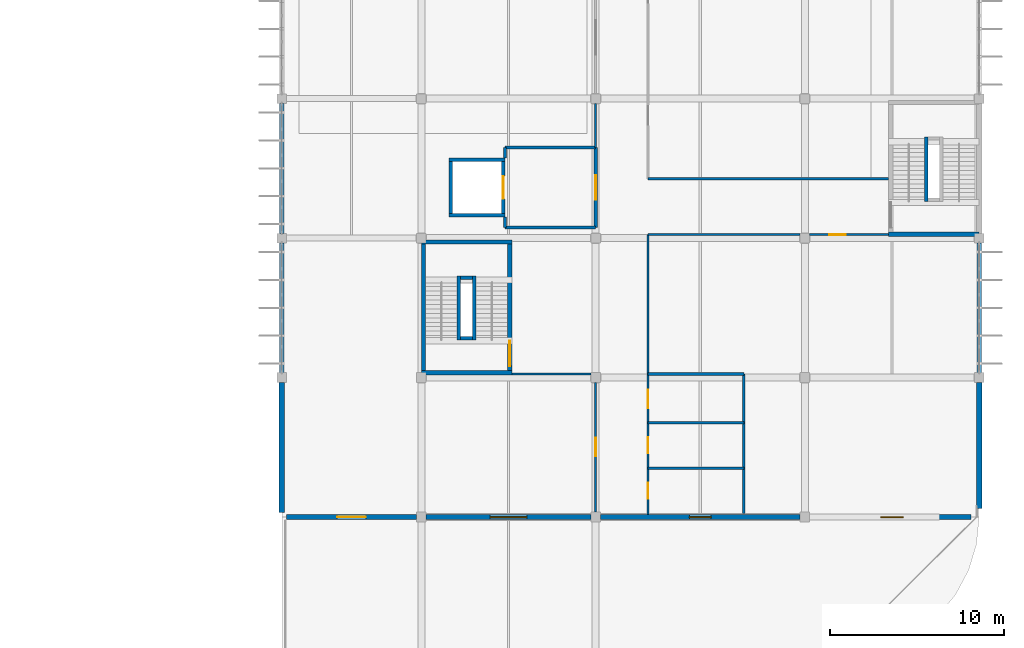
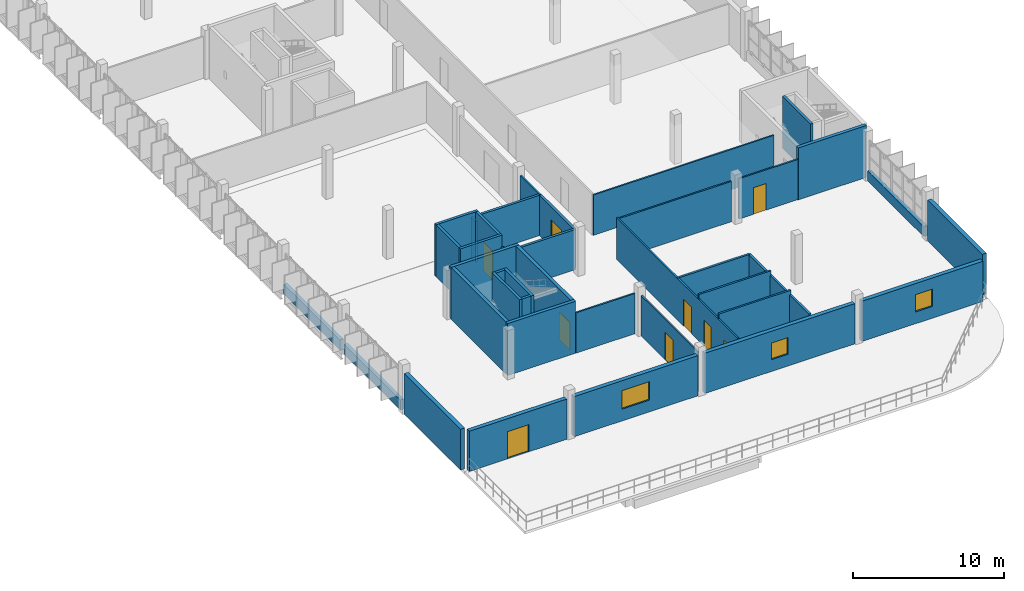
# One storey, part 27 of 38: 39 walls, 9 doors, 3 windows, 12 openings.
"""IFC4 building model written with IfcOpenShell, lengths in metres."""

from ifc_helpers import new_model, si_unit, direction, frame, frame_2d, origin, place, context, subcontext, project, spatial, rectangle, extrude, material, layer, layer_set, type_object, element, fill, save


model = new_model("IFC4")

# Units and contexts
model_context = context("Model", 3, precision=1e-05, world=origin(), true_north=direction((0.0, 1.0)))
body_context = subcontext(model_context, "Body", "Model", "MODEL_VIEW")
ifc_project = project(units=[si_unit("LENGTHUNIT", "METRE"), si_unit("AREAUNIT", "SQUARE_METRE"), si_unit("VOLUMEUNIT", "CUBIC_METRE"), si_unit("PLANEANGLEUNIT", "RADIAN"), si_unit("MASSUNIT", "GRAM", prefix="KILO")], contexts=[model_context])

# Site, building, storey
site_placement = place(None, origin())
site = spatial("IfcSite", under=ifc_project, at=site_placement, CompositionType="ELEMENT")
building_placement = place(site_placement, origin())
building = spatial("IfcBuilding", under=site, at=building_placement, Name="Drelvana Railside Aquatics Centre", CompositionType="ELEMENT")
storey_placement = place(building_placement, frame((0.0, 0.0, 14.39990234375)))
storey = spatial("IfcBuildingStorey", under=building, at=storey_placement, Name="L03", CompositionType="ELEMENT", Elevation=14.39990234375)

# Walls
ifc_material_1 = material(Name="Concrete blockwork compartment wall", Category="masonry")
ifc_layer_1 = layer(ifc_material_1, 0.18505859375, Name="Concrete blockwork compartment wall")
ifc_layer_set_1 = layer_set([ifc_layer_1], Name="Concrete blockwork compartment wall")
wall_type_1 = type_object("IfcWallType", Name="WL-COMP-185", PredefinedType="STANDARD", material=ifc_layer_set_1)
for number, where, z_axis, x_axis, name in (
    (1, (162.0, 32.60009765625, 0.0), (0.0, 0.0, 1.0), (-1.0, 0.0, 0.0), "Firefighting lobby FL-01 S wall (L03)"),
    (2, (156.800048828125, 37.199951171875, 0.0), (0.0, 0.0, 1.0), (1.0, 0.0, 0.0), "Firefighting lobby FL-01 N wall (L03)"),
):
    element("IfcWall", number, at=place(storey_placement, frame(where, z_axis=z_axis, x_axis=x_axis)), inside=storey, type_object=wall_type_1, Name=name, PredefinedType="STANDARD", context=body_context, shape_type="SweptSolid", body=[
        extrude(rectangle(XDim=5.199951171875, YDim=0.18505859375, at=frame_2d((2.60009765625, 0.0))), origin(), (0.0, 0.0, 1.0), 3.255126953125),
    ])

# Wall, opening, door
wall_1_placement = place(storey_placement, frame((162.0, 32.60009765625, 0.0), z_axis=(0.0, 0.0, 1.0), x_axis=(0.0, 1.0, 0.0)))
wall_1 = element("IfcWall", 3, at=wall_1_placement, inside=storey, type_object=wall_type_1, Name="Firefighting lobby FL-01 COR wall (L03)", PredefinedType="STANDARD", context=body_context, shape_type="SweptSolid", body=[
    extrude(rectangle(XDim=4.599853515625, YDim=0.18505859375, at=frame_2d((2.2998046875, 0.0))), origin(), (0.0, 0.0, 1.0), 3.255126953125),
])
opening_1_placement = place(wall_1_placement, frame((1.60009765625, 0.0, 0.0)))
opening_1 = element("IfcOpeningElement", 4, at=opening_1_placement, cuts=wall_1, Name="Opening D-03-050", PredefinedType="OPENING", context=body_context, shape_type="SweptSolid", body=[
    extrude(rectangle(XDim=1.39990234375, YDim=2.199951171875, at=frame_2d((0.699951171875, 1.10009765625))), frame((0.0, 0.1025390625, 0.0), z_axis=(0.0, -1.0, 0.0), x_axis=(1.0, 0.0, 0.0)), (0.0, 0.0, 1.0), 0.205078125),
])
ifc_material_2 = material(Name="Firefighting lobby door", Category="wood")
door_type_1 = type_object("IfcDoorType", Name="DR-INT-FFLOB-1400x2200", OperationType="DOUBLE_DOOR_SINGLE_SWING", PredefinedType="DOOR", material=ifc_material_2)
door_1_placement = place(opening_1_placement, origin())
door_1 = element("IfcDoor", 5, at=door_1_placement, inside=storey, type_object=door_type_1, Name="Firefighting lobby FL-01 door D-03-050", OperationType="DOUBLE_DOOR_SINGLE_SWING", OverallHeight=2.199951171875, OverallWidth=1.39990234375, PredefinedType="DOOR", context=body_context, shape_type="SweptSolid", body=[
    extrude(rectangle(XDim=1.39990234375, YDim=2.199951171875, at=frame_2d((0.699951171875, 1.10009765625))), frame((0.0, 0.02490234375, 0.0), z_axis=(0.0, -1.0, 0.0), x_axis=(1.0, 0.0, 0.0)), (0.0, 0.0, 1.0), 0.050048828125),
])
fill(opening_1, door_1)

# Walls
for number, where, z_axis, x_axis, name in (
    (6, (156.800048828125, 32.60009765625, 0.0), (0.0, 0.0, 1.0), (0.0, 1.0, 0.0), "Firefighting lobby FL-01 SHS wall (L03)"),
    (7, (156.800048828125, 36.60009765625, 0.0), (0.0, 0.0, 1.0), (0.0, 1.0, 0.0), "Firefighting lobby FL-01 SHN wall (L03)"),
):
    element("IfcWall", number, at=place(storey_placement, frame(where, z_axis=z_axis, x_axis=x_axis)), inside=storey, type_object=wall_type_1, Name=name, PredefinedType="STANDARD", context=body_context, shape_type="SweptSolid", body=[
        extrude(rectangle(XDim=0.599853515625, YDim=0.18505859375, at=frame_2d((0.2998046875, 0.0))), origin(), (0.0, 0.0, 1.0), 3.255126953125),
    ])
ifc_material_3 = material(Name="Concrete C40/50", Category="concrete")
ifc_layer_2 = layer(ifc_material_3, 0.25, Name="Concrete C40/50")
ifc_layer_set_2 = layer_set([ifc_layer_2], Name="Concrete C40/50")
wall_type_2 = type_object("IfcWallType", Name="WL-CORE-250", PredefinedType="SHEAR", material=ifc_layer_set_2)
for number, where, z_axis, x_axis, name in (
    (8, (152.0, 24.284912109375, 0.0), (0.0, 0.0, 1.0), (1.0, 0.0, 0.0), "Core 6 Federation Wing Court-West S core wall (L03)"),
    (9, (152.0, 31.77490234375, 0.0), (0.0, 0.0, 1.0), (1.0, 0.0, 0.0), "Core 6 Federation Wing Court-West N core wall (L03)"),
):
    element("IfcWall", number, at=place(storey_placement, frame(where, z_axis=z_axis, x_axis=x_axis)), inside=storey, type_object=wall_type_2, Name=name, PredefinedType="SHEAR", context=body_context, shape_type="SweptSolid", body=[
        extrude(rectangle(XDim=5.199951171875, YDim=0.25, at=frame_2d((2.60009765625, 0.0))), origin(), (0.0, 0.0, 1.0), 4.2001953125),
    ])
wall_2_placement = place(storey_placement, frame((152.125, 24.409912109375, 0.0), z_axis=(0.0, 0.0, 1.0), x_axis=(0.0, 1.0, 0.0)))
element("IfcWall", 10, at=wall_2_placement, inside=storey, type_object=wall_type_2, Name="Core 6 Federation Wing Court-West W core wall (L03)", PredefinedType="SHEAR", context=body_context, shape_type="SweptSolid", body=[
    extrude(rectangle(XDim=7.239990234375, YDim=0.25, at=frame_2d((3.6201171875, 0.0))), origin(), (0.0, 0.0, 1.0), 4.2001953125),
])

# Wall, opening, door
wall_3_placement = place(storey_placement, frame((157.074951171875, 24.409912109375, 0.0), z_axis=(0.0, 0.0, 1.0), x_axis=(0.0, 1.0, 0.0)))
wall_3 = element("IfcWall", 11, at=wall_3_placement, inside=storey, type_object=wall_type_2, Name="Core 6 Federation Wing Court-West E core wall (L03)", PredefinedType="SHEAR", context=body_context, shape_type="SweptSolid", body=[
    extrude(rectangle(XDim=7.239990234375, YDim=0.25, at=frame_2d((3.6201171875, 0.0))), origin(), (0.0, 0.0, 1.0), 4.2001953125),
])
opening_2_placement = place(wall_3_placement, frame((0.25, 0.0, 0.0)))
opening_2 = element("IfcOpeningElement", 12, at=opening_2_placement, cuts=wall_3, Name="Opening D-01-039", PredefinedType="OPENING", context=body_context, shape_type="SweptSolid", body=[
    extrude(rectangle(XDim=1.449951171875, YDim=2.199951171875, at=frame_2d((0.72509765625, 1.10009765625))), frame((0.0, 0.135009765625, 0.0), z_axis=(0.0, -1.0, 0.0), x_axis=(1.0, 0.0, 0.0)), (0.0, 0.0, 1.0), 0.27001953125),
])
ifc_material_4 = material(Name="Fire-rated steel and vision-panel door", Category="steel")
door_type_2 = type_object("IfcDoorType", Name="DR-INT-STAIR-1450x2200", OperationType="DOUBLE_DOOR_SINGLE_SWING", PredefinedType="DOOR", material=ifc_material_4)
door_2_placement = place(opening_2_placement, origin())
door_2 = element("IfcDoor", 13, at=door_2_placement, inside=storey, type_object=door_type_2, Name="Stair ST-06 lobby door D-01-039", OperationType="DOUBLE_DOOR_SINGLE_SWING", OverallHeight=2.199951171875, OverallWidth=1.449951171875, PredefinedType="DOOR", context=body_context, shape_type="SweptSolid", body=[
    extrude(rectangle(XDim=1.449951171875, YDim=2.199951171875, at=frame_2d((0.72509765625, 1.10009765625))), frame((0.0, 0.02490234375, 0.0), z_axis=(0.0, -1.0, 0.0), x_axis=(1.0, 0.0, 0.0)), (0.0, 0.0, 1.0), 0.050048828125),
])
fill(opening_2, door_2)

# Wall
wall_4_placement = place(storey_placement, frame((178.800048828125, 32.22509765625, 0.0), z_axis=(0.0, 0.0, 1.0), x_axis=(1.0, 0.0, 0.0)))
element("IfcWall", 14, at=wall_4_placement, inside=storey, type_object=wall_type_2, Name="Core 9 Federation Wing Avenue-South S core wall (L03)", PredefinedType="SHEAR", context=body_context, shape_type="SweptSolid", body=[
    extrude(rectangle(XDim=5.199951171875, YDim=0.25, at=frame_2d((2.60009765625, 0.0))), origin(), (0.0, 0.0, 1.0), 4.2001953125),
])

# Wall, opening, door
ifc_material_5 = material(Name="Acoustic twin-stud gypsum partition", Category="gypsum")
ifc_layer_3 = layer(ifc_material_5, 0.1201171875, Name="Acoustic twin-stud gypsum partition")
ifc_layer_set_3 = layer_set([ifc_layer_3], Name="Acoustic twin-stud gypsum partition")
wall_type_3 = type_object("IfcWallType", Name="WL-DRY-120", PredefinedType="PARTITIONING", material=ifc_layer_set_3)
wall_5_placement = place(storey_placement, frame((162.0, 16.277099609375, 0.0), z_axis=(0.0, 0.0, 1.0), x_axis=(0.0, 1.0, 0.0)))
wall_5 = element("IfcWall", 15, at=wall_5_placement, inside=storey, type_object=wall_type_3, Name="V5 L03 west corridor wall", PredefinedType="PARTITIONING", context=body_context, shape_type="SweptSolid", body=[
    extrude(rectangle(XDim=7.44580078125, YDim=0.1201171875, at=frame_2d((3.722900390625, 0.0))), origin(), (0.0, 0.0, 1.0), 3.255126953125),
])
opening_3_placement = place(wall_5_placement, frame((3.222900390625, 0.0, 0.0)))
opening_3 = element("IfcOpeningElement", 16, at=opening_3_placement, cuts=wall_5, Name="Opening D-18-238", PredefinedType="OPENING", context=body_context, shape_type="SweptSolid", body=[
    extrude(rectangle(XDim=1.050048828125, YDim=2.199951171875, at=frame_2d((0.52490234375, 1.10009765625))), frame((0.0, 0.070068359375, 0.0), z_axis=(0.0, -1.0, 0.0), x_axis=(1.0, 0.0, 0.0)), (0.0, 0.0, 1.0), 0.14013671875),
])
ifc_material_6 = material(Name="Seminar and boardroom acoustic door", Category="wood")
door_type_3 = type_object("IfcDoorType", Name="DR-INT-ROOM-1050x2200", OperationType="NOTDEFINED", PredefinedType="DOOR", material=ifc_material_6)
door_3_placement = place(opening_3_placement, origin())
door_3 = element("IfcDoor", 17, at=door_3_placement, inside=storey, type_object=door_type_3, Name="Athlete recovery lounge door D-18-238", OperationType="SINGLE_SWING_LEFT", OverallHeight=2.199951171875, OverallWidth=1.050048828125, PredefinedType="DOOR", context=body_context, shape_type="SweptSolid", body=[
    extrude(rectangle(XDim=1.050048828125, YDim=2.199951171875, at=frame_2d((0.52490234375, 1.10009765625))), frame((0.0, 0.02490234375, 0.0), z_axis=(0.0, -1.0, 0.0), x_axis=(1.0, 0.0, 0.0)), (0.0, 0.0, 1.0), 0.050048828125),
])
fill(opening_3, door_3)

# Walls
wall_6_placement = place(storey_placement, frame((162.0, 37.199951171875, 0.0), z_axis=(0.0, 0.0, 1.0), x_axis=(0.0, 1.0, 0.0)))
element("IfcWall", 18, at=wall_6_placement, inside=storey, type_object=wall_type_3, Name="V5 L03 west corridor wall", PredefinedType="PARTITIONING", context=body_context, shape_type="SweptSolid", body=[
    extrude(rectangle(XDim=2.52294921875, YDim=0.1201171875, at=frame_2d((1.261474609375, 0.0))), origin(), (0.0, 0.0, 1.0), 3.255126953125),
])
wall_7_placement = place(storey_placement, frame((157.205078125, 24.199951171875, 0.0), z_axis=(0.0, 0.0, 1.0), x_axis=(1.0, 0.0, 0.0)))
element("IfcWall", 19, at=wall_7_placement, inside=storey, type_object=wall_type_3, Name="V5 L03 C6 alcove SE wall", PredefinedType="PARTITIONING", context=body_context, shape_type="SweptSolid", body=[
    extrude(rectangle(XDim=4.517822265625, YDim=0.1201171875, at=frame_2d((2.2587890625, 0.0))), origin(), (0.0, 0.0, 1.0), 3.255126953125),
])

# Wall, openings, doors
wall_8_placement = place(storey_placement, frame((165.0, 16.14990234375, 0.0), z_axis=(0.0, 0.0, 1.0), x_axis=(0.0, 1.0, 0.0)))
wall_8 = element("IfcWall", 20, at=wall_8_placement, inside=storey, type_object=wall_type_3, Name="V5 L03 east corridor wall", PredefinedType="PARTITIONING", context=body_context, shape_type="SweptSolid", body=[
    extrude(rectangle(XDim=16.050048828125, YDim=0.1201171875, at=frame_2d((8.02490234375, 0.0))), origin(), (0.0, 0.0, 1.0), 3.35498046875),
])
opening_4_placement = place(wall_8_placement, frame((0.89990234375, 0.0, 0.0)))
opening_4 = element("IfcOpeningElement", 21, at=opening_4_placement, cuts=wall_8, Name="Opening D-11-242", PredefinedType="OPENING", context=body_context, shape_type="SweptSolid", body=[
    extrude(rectangle(XDim=0.919921875, YDim=2.10009765625, at=frame_2d((0.4599609375, 1.050048828125))), frame((0.0, 0.070068359375, 0.0), z_axis=(0.0, -1.0, 0.0), x_axis=(1.0, 0.0, 0.0)), (0.0, 0.0, 1.0), 0.14013671875),
])
opening_5_placement = place(wall_8_placement, frame((3.5, 0.0, 0.0)))
opening_5 = element("IfcOpeningElement", 22, at=opening_5_placement, cuts=wall_8, Name="Opening D-11-243", PredefinedType="OPENING", context=body_context, shape_type="SweptSolid", body=[
    extrude(rectangle(XDim=0.919921875, YDim=2.10009765625, at=frame_2d((0.4599609375, 1.050048828125))), frame((0.0, 0.070068359375, 0.0), z_axis=(0.0, -1.0, 0.0), x_axis=(1.0, 0.0, 0.0)), (0.0, 0.0, 1.0), 0.14013671875),
])
opening_6_placement = place(wall_8_placement, frame((6.10009765625, 0.0, 0.0)))
opening_6 = element("IfcOpeningElement", 23, at=opening_6_placement, cuts=wall_8, Name="Opening D-12-244", PredefinedType="OPENING", context=body_context, shape_type="SweptSolid", body=[
    extrude(rectangle(XDim=1.050048828125, YDim=2.14990234375, at=frame_2d((0.52490234375, 1.074951171875))), frame((0.0, 0.070068359375, 0.0), z_axis=(0.0, -1.0, 0.0), x_axis=(1.0, 0.0, 0.0)), (0.0, 0.0, 1.0), 0.14013671875),
])
ifc_material_7 = material(Name="Accessible toilet outward-opening door", Category="wood")
door_type_4 = type_object("IfcDoorType", Name="DR-INT-AWC-1050x2150", OperationType="NOTDEFINED", PredefinedType="DOOR", material=ifc_material_7)
door_4_placement = place(opening_6_placement, origin())
door_4 = element("IfcDoor", 24, at=door_4_placement, inside=storey, type_object=door_type_4, Name="L03 Accessible WC door D-12-244", OperationType="SINGLE_SWING_RIGHT", OverallHeight=2.14990234375, OverallWidth=1.050048828125, PredefinedType="DOOR", context=body_context, shape_type="SweptSolid", body=[
    extrude(rectangle(XDim=1.050048828125, YDim=2.14990234375, at=frame_2d((0.52490234375, 1.074951171875))), frame((0.0, 0.02490234375, 0.0), z_axis=(0.0, -1.0, 0.0), x_axis=(1.0, 0.0, 0.0)), (0.0, 0.0, 1.0), 0.050048828125),
])
fill(opening_6, door_4)
ifc_material_8 = material(Name="Moisture-resistant laminate WC door", Category="wood")
door_type_5 = type_object("IfcDoorType", Name="DR-INT-WC-920x2100", OperationType="NOTDEFINED", PredefinedType="DOOR", material=ifc_material_8)
door_5_placement = place(opening_4_placement, origin())
door_5 = element("IfcDoor", 25, at=door_5_placement, inside=storey, type_object=door_type_5, Name="L03 Male WC door D-11-242", OperationType="SINGLE_SWING_RIGHT", OverallHeight=2.10009765625, OverallWidth=0.919921875, PredefinedType="DOOR", context=body_context, shape_type="SweptSolid", body=[
    extrude(rectangle(XDim=0.919921875, YDim=2.10009765625, at=frame_2d((0.4599609375, 1.050048828125))), frame((0.0, 0.02490234375, 0.0), z_axis=(0.0, -1.0, 0.0), x_axis=(1.0, 0.0, 0.0)), (0.0, 0.0, 1.0), 0.050048828125),
])
fill(opening_4, door_5)
door_6_placement = place(opening_5_placement, origin())
door_6 = element("IfcDoor", 26, at=door_6_placement, inside=storey, type_object=door_type_5, Name="L03 Female WC door D-11-243", OperationType="SINGLE_SWING_LEFT", OverallHeight=2.10009765625, OverallWidth=0.919921875, PredefinedType="DOOR", context=body_context, shape_type="SweptSolid", body=[
    extrude(rectangle(XDim=0.919921875, YDim=2.10009765625, at=frame_2d((0.4599609375, 1.050048828125))), frame((0.0, 0.02490234375, 0.0), z_axis=(0.0, -1.0, 0.0), x_axis=(1.0, 0.0, 0.0)), (0.0, 0.0, 1.0), 0.050048828125),
])
fill(opening_5, door_6)

# Wall
wall_9_placement = place(storey_placement, frame((165.0, 32.199951171875, 0.0), z_axis=(0.0, 0.0, 1.0), x_axis=(1.0, 0.0, 0.0)))
element("IfcWall", 27, at=wall_9_placement, inside=storey, type_object=wall_type_3, Name="L03 C9 branch S wall", PredefinedType="PARTITIONING", context=body_context, shape_type="SweptSolid", body=[
    extrude(rectangle(XDim=8.722900390625, YDim=0.1201171875, at=frame_2d((4.361328125, 0.0))), origin(), (0.0, 0.0, 1.0), 3.255126953125),
])

# Wall, opening, door
wall_10_placement = place(storey_placement, frame((174.277099609375, 32.199951171875, 0.0), z_axis=(0.0, 0.0, 1.0), x_axis=(1.0, 0.0, 0.0)))
wall_10 = element("IfcWall", 28, at=wall_10_placement, inside=storey, type_object=wall_type_3, Name="L03 C9 branch S wall", PredefinedType="PARTITIONING", context=body_context, shape_type="SweptSolid", body=[
    extrude(rectangle(XDim=4.52294921875, YDim=0.1201171875, at=frame_2d((2.261474609375, 0.0))), origin(), (0.0, 0.0, 1.0), 3.255126953125),
])
opening_7_placement = place(wall_10_placement, frame((1.123046875, 0.0, 0.0)))
opening_7 = element("IfcOpeningElement", 29, at=opening_7_placement, cuts=wall_10, Name="Opening D-10-250", PredefinedType="OPENING", context=body_context, shape_type="SweptSolid", body=[
    extrude(rectangle(XDim=0.949951171875, YDim=2.14990234375, at=frame_2d((0.47509765625, 1.074951171875))), frame((0.0, 0.070068359375, 0.0), z_axis=(0.0, -1.0, 0.0), x_axis=(1.0, 0.0, 0.0)), (0.0, 0.0, 1.0), 0.14013671875),
])
ifc_material_9 = material(Name="Timber veneer office door", Category="wood")
door_type_6 = type_object("IfcDoorType", Name="DR-INT-OFF-950x2150", OperationType="NOTDEFINED", PredefinedType="DOOR", material=ifc_material_9)
door_7_placement = place(opening_7_placement, origin())
door_7 = element("IfcDoor", 30, at=door_7_placement, inside=storey, type_object=door_type_6, Name="Seminar breakout room door D-10-250", OperationType="SINGLE_SWING_RIGHT", OverallHeight=2.14990234375, OverallWidth=0.949951171875, PredefinedType="DOOR", context=body_context, shape_type="SweptSolid", body=[
    extrude(rectangle(XDim=0.949951171875, YDim=2.14990234375, at=frame_2d((0.47509765625, 1.074951171875))), frame((0.0, 0.02490234375, 0.0), z_axis=(0.0, -1.0, 0.0), x_axis=(1.0, 0.0, 0.0)), (0.0, 0.0, 1.0), 0.050048828125),
])
fill(opening_7, door_7)

# Walls
wall_11_placement = place(storey_placement, frame((165.0, 35.39990234375, 0.0), z_axis=(0.0, 0.0, 1.0), x_axis=(1.0, 0.0, 0.0)))
element("IfcWall", 31, at=wall_11_placement, inside=storey, type_object=wall_type_3, Name="L03 C9 branch N wall", PredefinedType="PARTITIONING", context=body_context, shape_type="SweptSolid", body=[
    extrude(rectangle(XDim=13.800048828125, YDim=0.1201171875, at=frame_2d((6.89990234375, 0.0))), origin(), (0.0, 0.0, 1.0), 3.255126953125),
])
ifc_material_10 = material(Name="Glazed ceramic spandrel wall", Category="masonry")
ifc_layer_4 = layer(ifc_material_10, 0.27001953125, Name="Glazed ceramic spandrel wall")
ifc_layer_set_4 = layer_set([ifc_layer_4], Name="Glazed ceramic spandrel wall")
wall_type_4 = type_object("IfcWallType", Name="WL-EXT-270", PredefinedType="STANDARD", material=ifc_layer_set_4)
for number, where, z_axis, x_axis, name in (
    (32, (144.0, 24.27099609375, 0.0), (0.0, 0.0, 1.0), (0.0, 1.0, 0.0), "V5 West L03 sill spandrel"),
    (33, (144.0, 32.27099609375, 0.0), (0.0, 0.0, 1.0), (0.0, 1.0, 0.0), "V5 West L03 sill spandrel"),
    (34, (184.0, 24.27099609375, 0.0), (0.0, 0.0, 1.0), (0.0, 1.0, 0.0), "V5 East L03 sill spandrel"),
):
    element("IfcWall", number, at=place(storey_placement, frame(where, z_axis=z_axis, x_axis=x_axis)), inside=storey, type_object=wall_type_4, Name=name, PredefinedType="STANDARD", context=body_context, shape_type="SweptSolid", body=[
        extrude(rectangle(XDim=7.4580078125, YDim=0.27001953125, at=frame_2d((3.72900390625, 0.0))), origin(), (0.0, 0.0, 1.0), 0.800048828125),
    ])
ifc_material_11 = material(Name="Terracotta rainscreen masonry wall", Category="masonry")
ifc_layer_5 = layer(ifc_material_11, 0.31005859375, Name="Terracotta rainscreen masonry wall")
ifc_layer_set_5 = layer_set([ifc_layer_5], Name="Terracotta rainscreen masonry wall")
wall_type_5 = type_object("IfcWallType", Name="WL-EXT-310", PredefinedType="STANDARD", material=ifc_layer_set_5)
wall_12_placement = place(storey_placement, frame((144.0, 16.27099609375, 0.0), z_axis=(0.0, 0.0, 1.0), x_axis=(0.0, 1.0, 0.0)))
element("IfcWall", 35, at=wall_12_placement, inside=storey, type_object=wall_type_5, Name="V5 West L03 south bay wall", PredefinedType="STANDARD", context=body_context, shape_type="SweptSolid", body=[
    extrude(rectangle(XDim=7.4580078125, YDim=0.31005859375, at=frame_2d((3.72900390625, 0.0))), origin(), (0.0, 0.0, 1.0), 3.300048828125),
])
wall_13_placement = place(storey_placement, frame((184.0, 16.47998046875, 0.0), z_axis=(0.0, 0.0, 1.0), x_axis=(0.0, 1.0, 0.0)))
element("IfcWall", 36, at=wall_13_placement, inside=storey, type_object=wall_type_5, Name="V5 East L03 south bay wall", PredefinedType="STANDARD", context=body_context, shape_type="SweptSolid", body=[
    extrude(rectangle(XDim=7.2490234375, YDim=0.31005859375, at=frame_2d((3.62451171875, 0.0))), origin(), (0.0, 0.0, 1.0), 3.300048828125),
])

# Wall, opening, door
wall_14_placement = place(storey_placement, frame((144.27099609375, 16.0, 0.0), z_axis=(0.0, 0.0, 1.0), x_axis=(1.0, 0.0, 0.0)))
wall_14 = element("IfcWall", 37, at=wall_14_placement, inside=storey, type_object=wall_type_5, Name="V5 L03 end bay wall", PredefinedType="STANDARD", context=body_context, shape_type="SweptSolid", body=[
    extrude(rectangle(XDim=7.4580078125, YDim=0.31005859375, at=frame_2d((3.72900390625, 0.0))), origin(), (0.0, 0.0, 1.0), 3.25),
])
opening_8_placement = place(wall_14_placement, frame((2.904052734375, 0.0, 0.0)))
opening_8 = element("IfcOpeningElement", 38, at=opening_8_placement, cuts=wall_14, Name="Opening EX-06-028", PredefinedType="OPENING", context=body_context, shape_type="SweptSolid", body=[
    extrude(rectangle(XDim=1.64990234375, YDim=2.199951171875, at=frame_2d((0.824951171875, 1.10009765625))), frame((0.0, 0.1650390625, 0.0), z_axis=(0.0, -1.0, 0.0), x_axis=(1.0, 0.0, 0.0)), (0.0, 0.0, 1.0), 0.330078125),
])
ifc_material_12 = material(Name="Thermally broken bronze-anodised aluminium and glazed door", Category="aluminium")
door_type_7 = type_object("IfcDoorType", Name="DR-EXT-TER-1650x2200", OperationType="DOUBLE_DOOR_SINGLE_SWING", PredefinedType="DOOR", material=ifc_material_12)
door_8_placement = place(opening_8_placement, frame((1.64990234375, 0.0, 0.0), z_axis=(0.0, 0.0, 1.0), x_axis=(-1.0, 0.0, 0.0)))
door_8 = element("IfcDoor", 39, at=door_8_placement, inside=storey, type_object=door_type_7, Name="L03 outdoor terrace door EX-06-028", OperationType="DOUBLE_DOOR_SINGLE_SWING", OverallHeight=2.199951171875, OverallWidth=1.64990234375, PredefinedType="DOOR", context=body_context, shape_type="SweptSolid", body=[
    extrude(rectangle(XDim=1.64990234375, YDim=2.199951171875, at=frame_2d((0.824951171875, 1.10009765625))), frame((0.0, 0.02490234375, 0.0), z_axis=(0.0, -1.0, 0.0), x_axis=(1.0, 0.0, 0.0)), (0.0, 0.0, 1.0), 0.050048828125),
])
fill(opening_8, door_8)

# Wall, opening, window
wall_15_placement = place(storey_placement, frame((152.27099609375, 16.0, 0.0), z_axis=(0.0, 0.0, 1.0), x_axis=(1.0, 0.0, 0.0)))
wall_15 = element("IfcWall", 40, at=wall_15_placement, inside=storey, type_object=wall_type_5, Name="V5 L03 end bay wall", PredefinedType="STANDARD", context=body_context, shape_type="SweptSolid", body=[
    extrude(rectangle(XDim=9.4580078125, YDim=0.31005859375, at=frame_2d((4.72900390625, 0.0))), origin(), (0.0, 0.0, 1.0), 3.25),
])
opening_9_placement = place(wall_15_placement, frame((3.678955078125, 0.0, 0.949951171875)))
opening_9 = element("IfcOpeningElement", 41, at=opening_9_placement, cuts=wall_15, Name="Opening W-25", PredefinedType="OPENING", context=body_context, shape_type="SweptSolid", body=[
    extrude(rectangle(XDim=2.10009765625, YDim=1.5, at=frame_2d((1.050048828125, 0.75))), frame((0.0, 0.1650390625, 0.0), z_axis=(0.0, -1.0, 0.0), x_axis=(1.0, 0.0, 0.0)), (0.0, 0.0, 1.0), 0.330078125),
])
ifc_material_13 = material(Name="Double-glazed solar-control aluminium window", Category="aluminium")
window_type_1 = type_object("IfcWindowType", Name="WIN-25", PartitioningType="SINGLE_PANEL", PredefinedType="WINDOW", material=ifc_material_13)
window_1_placement = place(opening_9_placement, origin())
window_1 = element("IfcWindow", 42, at=window_1_placement, inside=storey, type_object=window_type_1, Name="V5 L03 end window WIN-25", OverallHeight=1.5, OverallWidth=2.10009765625, PartitioningType="SINGLE_PANEL", PredefinedType="WINDOW", context=body_context, shape_type="SweptSolid", body=[
    extrude(rectangle(XDim=2.10009765625, YDim=1.5, at=frame_2d((1.050048828125, 0.75))), frame((0.0, 0.030029296875, 0.0), z_axis=(0.0, -1.0, 0.0), x_axis=(1.0, 0.0, 0.0)), (0.0, 0.0, 1.0), 0.06005859375),
])
fill(opening_9, window_1)

wall_16_placement = place(storey_placement, frame((162.27099609375, 16.0, 0.0), z_axis=(0.0, 0.0, 1.0), x_axis=(1.0, 0.0, 0.0)))
wall_16 = element("IfcWall", 43, at=wall_16_placement, inside=storey, type_object=wall_type_5, Name="V5 L03 end bay wall", PredefinedType="STANDARD", context=body_context, shape_type="SweptSolid", body=[
    extrude(rectangle(XDim=11.4580078125, YDim=0.31005859375, at=frame_2d((5.72900390625, 0.0))), origin(), (0.0, 0.0, 1.0), 3.25),
])
opening_10_placement = place(wall_16_placement, frame((5.10400390625, 0.0, 0.949951171875)))
opening_10 = element("IfcOpeningElement", 44, at=opening_10_placement, cuts=wall_16, Name="Opening W-27", PredefinedType="OPENING", context=body_context, shape_type="SweptSolid", body=[
    extrude(rectangle(XDim=1.25, YDim=1.35009765625, at=frame_2d((0.625, 0.675048828125))), frame((0.0, 0.1650390625, 0.0), z_axis=(0.0, -1.0, 0.0), x_axis=(1.0, 0.0, 0.0)), (0.0, 0.0, 1.0), 0.330078125),
])
window_type_2 = type_object("IfcWindowType", Name="WIN-27", PartitioningType="SINGLE_PANEL", PredefinedType="WINDOW", material=ifc_material_13)
window_2_placement = place(opening_10_placement, origin())
window_2 = element("IfcWindow", 45, at=window_2_placement, inside=storey, type_object=window_type_2, Name="V5 L03 end window WIN-27", OverallHeight=1.35009765625, OverallWidth=1.25, PartitioningType="SINGLE_PANEL", PredefinedType="WINDOW", context=body_context, shape_type="SweptSolid", body=[
    extrude(rectangle(XDim=1.25, YDim=1.35009765625, at=frame_2d((0.625, 0.675048828125))), frame((0.0, 0.030029296875, 0.0), z_axis=(0.0, -1.0, 0.0), x_axis=(1.0, 0.0, 0.0)), (0.0, 0.0, 1.0), 0.06005859375),
])
fill(opening_10, window_2)

wall_17_placement = place(storey_placement, frame((174.27099609375, 16.0, 0.0), z_axis=(0.0, 0.0, 1.0), x_axis=(1.0, 0.0, 0.0)))
wall_17 = element("IfcWall", 46, at=wall_17_placement, inside=storey, type_object=wall_type_5, Name="V5 L03 end bay wall", PredefinedType="STANDARD", context=body_context, shape_type="SweptSolid", body=[
    extrude(rectangle(XDim=9.2490234375, YDim=0.31005859375, at=frame_2d((4.62451171875, 0.0))), origin(), (0.0, 0.0, 1.0), 3.25),
])
opening_11_placement = place(wall_17_placement, frame((4.0791015625, 0.0, 0.949951171875)))
opening_11 = element("IfcOpeningElement", 47, at=opening_11_placement, cuts=wall_17, Name="Opening W-13", PredefinedType="OPENING", context=body_context, shape_type="SweptSolid", body=[
    extrude(rectangle(XDim=1.300048828125, YDim=1.39990234375, at=frame_2d((0.64990234375, 0.699951171875))), frame((0.0, 0.1650390625, 0.0), z_axis=(0.0, -1.0, 0.0), x_axis=(1.0, 0.0, 0.0)), (0.0, 0.0, 1.0), 0.330078125),
])
window_type_3 = type_object("IfcWindowType", Name="WIN-13", PartitioningType="SINGLE_PANEL", PredefinedType="WINDOW", material=ifc_material_13)
window_3_placement = place(opening_11_placement, origin())
window_3 = element("IfcWindow", 48, at=window_3_placement, inside=storey, type_object=window_type_3, Name="V5 L03 end window WIN-13", OverallHeight=1.39990234375, OverallWidth=1.300048828125, PartitioningType="SINGLE_PANEL", PredefinedType="WINDOW", context=body_context, shape_type="SweptSolid", body=[
    extrude(rectangle(XDim=1.300048828125, YDim=1.39990234375, at=frame_2d((0.64990234375, 0.699951171875))), frame((0.0, 0.030029296875, 0.0), z_axis=(0.0, -1.0, 0.0), x_axis=(1.0, 0.0, 0.0)), (0.0, 0.0, 1.0), 0.06005859375),
])
fill(opening_11, window_3)

# Walls
ifc_layer_6 = layer(ifc_material_3, 0.199951171875, Name="Concrete C40/50")
ifc_layer_set_6 = layer_set([ifc_layer_6], Name="Concrete C40/50")
wall_type_6 = type_object("IfcWallType", Name="WL-SHFT-200", PredefinedType="SHEAR", material=ifc_layer_set_6)
for number, where, z_axis, x_axis, name in (
    (49, (154.14990234375, 26.14990234375, 0.0), (0.0, 0.0, 1.0), (0.0, 1.0, 0.0), "Stair ST-06 central spine wall A (L03)"),
    (50, (155.050048828125, 26.14990234375, 0.0), (0.0, 0.0, 1.0), (0.0, 1.0, 0.0), "Stair ST-06 central spine wall B (L03)"),
):
    element("IfcWall", number, at=place(storey_placement, frame(where, z_axis=z_axis, x_axis=x_axis)), inside=storey, type_object=wall_type_6, Name=name, PredefinedType="SHEAR", context=body_context, shape_type="SweptSolid", body=[
        extrude(rectangle(XDim=3.66015625, YDim=0.199951171875, at=frame_2d((1.830078125, 0.0))), origin(), (0.0, 0.0, 1.0), 4.2001953125),
    ])
for number, where, z_axis, x_axis, name in (
    (51, (154.25, 26.25, 0.0), (0.0, 0.0, 1.0), (1.0, 0.0, 0.0), "Stair ST-06 central spine wall S (L03)"),
    (52, (154.25, 29.7099609375, 0.0), (0.0, 0.0, 1.0), (1.0, 0.0, 0.0), "Stair ST-06 central spine wall N (L03)"),
):
    element("IfcWall", number, at=place(storey_placement, frame(where, z_axis=z_axis, x_axis=x_axis)), inside=storey, type_object=wall_type_6, Name=name, PredefinedType="SHEAR", context=body_context, shape_type="SweptSolid", body=[
        extrude(rectangle(XDim=0.699951171875, YDim=0.199951171875, at=frame_2d((0.35009765625, 0.0))), origin(), (0.0, 0.0, 1.0), 4.2001953125),
    ])
for number, where, z_axis, x_axis, name in (
    (53, (153.60009765625, 33.300048828125, 0.0), (0.0, 0.0, 1.0), (1.0, 0.0, 0.0), "Lift FL-01 S shaft wall (L03)"),
    (54, (153.60009765625, 36.5, 0.0), (0.0, 0.0, 1.0), (1.0, 0.0, 0.0), "Lift FL-01 N shaft wall (L03)"),
):
    element("IfcWall", number, at=place(storey_placement, frame(where, z_axis=z_axis, x_axis=x_axis)), inside=storey, type_object=wall_type_6, Name=name, PredefinedType="SHEAR", context=body_context, shape_type="SweptSolid", body=[
        extrude(rectangle(XDim=3.199951171875, YDim=0.199951171875, at=frame_2d((1.60009765625, 0.0))), origin(), (0.0, 0.0, 1.0), 4.2001953125),
    ])
wall_18_placement = place(storey_placement, frame((153.699951171875, 33.39990234375, 0.0), z_axis=(0.0, 0.0, 1.0), x_axis=(0.0, 1.0, 0.0)))
element("IfcWall", 55, at=wall_18_placement, inside=storey, type_object=wall_type_6, Name="Lift FL-01 W shaft wall (L03)", PredefinedType="SHEAR", context=body_context, shape_type="SweptSolid", body=[
    extrude(rectangle(XDim=3.0, YDim=0.199951171875, at=frame_2d((1.5, 0.0))), origin(), (0.0, 0.0, 1.0), 4.2001953125),
])

# Wall, opening, door
wall_19_placement = place(storey_placement, frame((156.699951171875, 33.39990234375, 0.0), z_axis=(0.0, 0.0, 1.0), x_axis=(0.0, 1.0, 0.0)))
wall_19 = element("IfcWall", 56, at=wall_19_placement, inside=storey, type_object=wall_type_6, Name="Lift FL-01 E shaft wall (L03)", PredefinedType="SHEAR", context=body_context, shape_type="SweptSolid", body=[
    extrude(rectangle(XDim=3.0, YDim=0.199951171875, at=frame_2d((1.5, 0.0))), origin(), (0.0, 0.0, 1.0), 4.2001953125),
])
opening_12_placement = place(wall_19_placement, frame((0.85009765625, 0.0, 0.0)))
opening_12 = element("IfcOpeningElement", 57, at=opening_12_placement, cuts=wall_19, Name="Opening LD-02-049", PredefinedType="OPENING", context=body_context, shape_type="SweptSolid", body=[
    extrude(rectangle(XDim=1.300048828125, YDim=2.300048828125, at=frame_2d((0.64990234375, 1.14990234375))), frame((0.0, 0.10986328125, 0.0), z_axis=(0.0, -1.0, 0.0), x_axis=(1.0, 0.0, 0.0)), (0.0, 0.0, 1.0), 0.219970703125),
])
ifc_material_14 = material(Name="Firefighting & goods lift sliding door", Category="wood")
door_type_8 = type_object("IfcDoorType", Name="DR-LIFT-LD-1300x2300", OperationType="SLIDING_TO_RIGHT", PredefinedType="DOOR", material=ifc_material_14)
door_9_placement = place(opening_12_placement, origin())
door_9 = element("IfcDoor", 58, at=door_9_placement, inside=storey, type_object=door_type_8, Name="Lift FL-01 landing door LD-02-049", OperationType="SLIDING_TO_RIGHT", OverallHeight=2.300048828125, OverallWidth=1.300048828125, PredefinedType="DOOR", context=body_context, shape_type="SweptSolid", body=[
    extrude(rectangle(XDim=1.300048828125, YDim=2.300048828125, at=frame_2d((0.64990234375, 1.14990234375))), frame((0.0, 0.02490234375, 0.0), z_axis=(0.0, -1.0, 0.0), x_axis=(1.0, 0.0, 0.0)), (0.0, 0.0, 1.0), 0.050048828125),
])
fill(opening_12, door_9)

# Walls
wall_20_placement = place(storey_placement, frame((180.969970703125, 34.090087890625, 0.0), z_axis=(0.0, 0.0, 1.0), x_axis=(0.0, 1.0, 0.0)))
element("IfcWall", 59, at=wall_20_placement, inside=storey, type_object=wall_type_6, Name="Stair ST-09 central spine wall A (L03)", PredefinedType="SHEAR", context=body_context, shape_type="SweptSolid", body=[
    extrude(rectangle(XDim=3.719970703125, YDim=0.199951171875, at=frame_2d((1.85986328125, 0.0))), origin(), (0.0, 0.0, 1.0), 4.2001953125),
])
ifc_material_15 = material(Name="Moisture-resistant tiled plumbing chase wall", Category="masonry")
ifc_layer_7 = layer(ifc_material_15, 0.139892578125, Name="Moisture-resistant tiled plumbing chase wall")
ifc_layer_set_7 = layer_set([ifc_layer_7], Name="Moisture-resistant tiled plumbing chase wall")
wall_type_7 = type_object("IfcWallType", Name="WL-WET-140", PredefinedType="PLUMBINGWALL", material=ifc_layer_set_7)
for number, where, z_axis, x_axis, name in (
    (60, (165.0, 18.800048828125, 0.0), (0.0, 0.0, 1.0), (1.0, 0.0, 0.0), "L03 WC divider 1"),
    (61, (165.0, 21.39990234375, 0.0), (0.0, 0.0, 1.0), (1.0, 0.0, 0.0), "L03 WC divider 2"),
):
    element("IfcWall", number, at=place(storey_placement, frame(where, z_axis=z_axis, x_axis=x_axis)), inside=storey, type_object=wall_type_7, Name=name, PredefinedType="PLUMBINGWALL", context=body_context, shape_type="SweptSolid", body=[
        extrude(rectangle(XDim=5.5, YDim=0.139892578125, at=frame_2d((2.75, 0.0))), origin(), (0.0, 0.0, 1.0), 3.715087890625),
    ])
ifc_material_16 = material(Name="Water-resistant ceramic-tiled block partition", Category="masonry")
ifc_layer_8 = layer(ifc_material_16, 0.159912109375, Name="Water-resistant ceramic-tiled block partition")
ifc_layer_set_8 = layer_set([ifc_layer_8], Name="Water-resistant ceramic-tiled block partition")
wall_type_8 = type_object("IfcWallType", Name="WL-WET-160", PredefinedType="PARTITIONING", material=ifc_layer_set_8)
wall_21_placement = place(storey_placement, frame((170.5, 16.199951171875, 0.0), z_axis=(0.0, 0.0, 1.0), x_axis=(0.0, 1.0, 0.0)))
element("IfcWall", 62, at=wall_21_placement, inside=storey, type_object=wall_type_8, Name="L03 WC back wall", PredefinedType="PARTITIONING", context=body_context, shape_type="SweptSolid", body=[
    extrude(rectangle(XDim=8.0, YDim=0.159912109375, at=frame_2d((4.0, 0.0))), origin(), (0.0, 0.0, 1.0), 3.35498046875),
])
wall_22_placement = place(storey_placement, frame((165.0, 24.199951171875, 0.0), z_axis=(0.0, 0.0, 1.0), x_axis=(1.0, 0.0, 0.0)))
element("IfcWall", 63, at=wall_22_placement, inside=storey, type_object=wall_type_8, Name="L03 WC north wall", PredefinedType="PARTITIONING", context=body_context, shape_type="SweptSolid", body=[
    extrude(rectangle(XDim=5.5, YDim=0.159912109375, at=frame_2d((2.75, 0.0))), origin(), (0.0, 0.0, 1.0), 3.35498046875),
])

save(model, "model.ifc")
